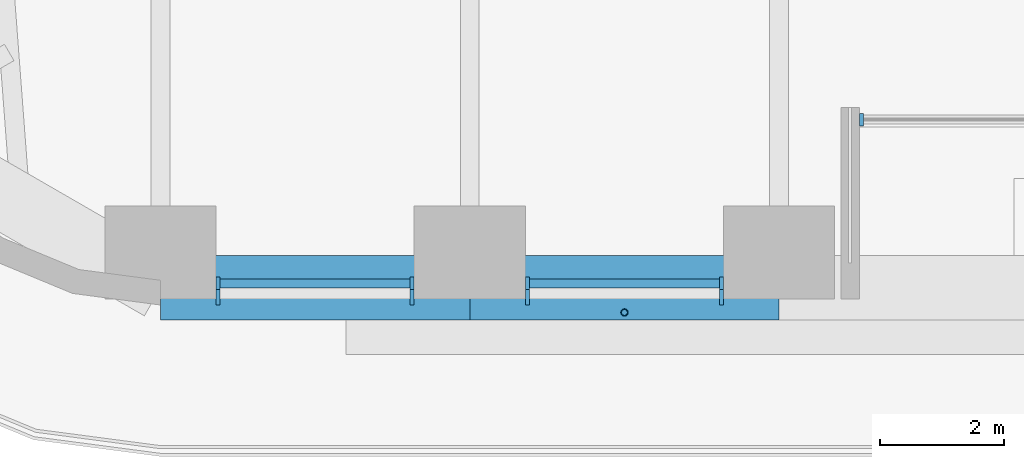
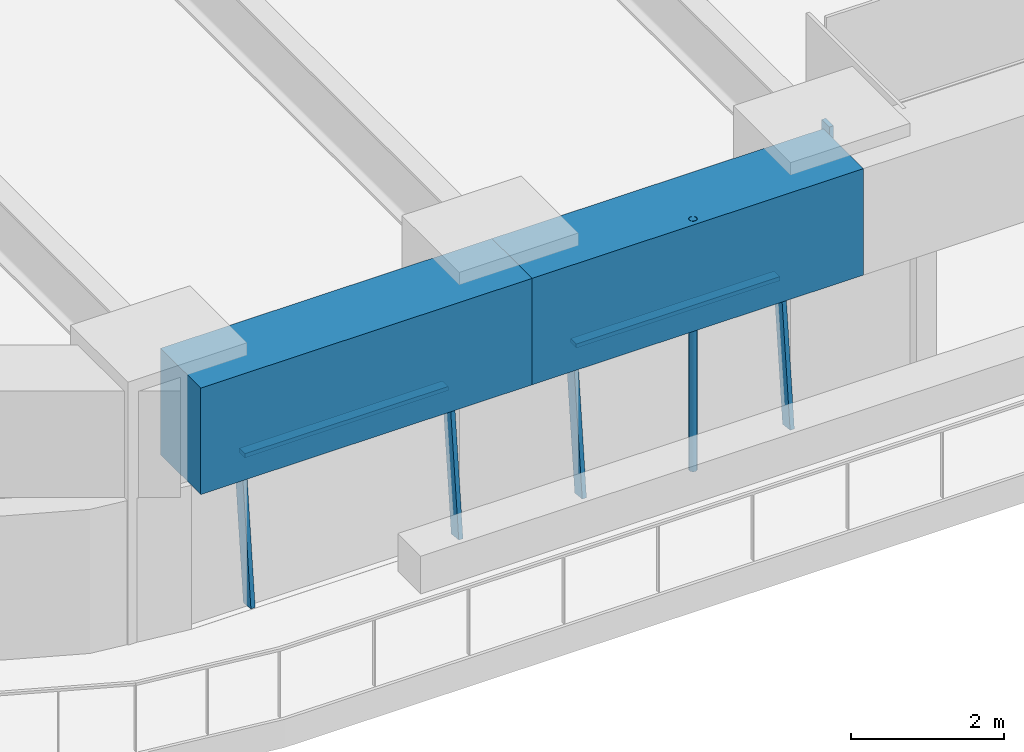
# One storey, part 2 of 24: 8 members, 2 beams, 3 elements without a shape of their own.
"""IFC4 building model written with IfcOpenShell, lengths in metres."""

from ifc_helpers import new_model, si_unit, direction, frame, origin, origin_2d, place, context, subcontext, project, spatial, rectangle, hollow_circle, extrude, material, material_profile, profile_set, type_object, element, aggregate, save


model = new_model("IFC4")

# Units and contexts
model_context = context("Model", 3, precision=1e-05, world=origin(), true_north=direction((0.0, 1.0)))
body_context = subcontext(model_context, "Body", "Model", "MODEL_VIEW")
ifc_project = project(units=[si_unit("LENGTHUNIT", "METRE"), si_unit("AREAUNIT", "SQUARE_METRE"), si_unit("VOLUMEUNIT", "CUBIC_METRE"), si_unit("PLANEANGLEUNIT", "RADIAN"), si_unit("MASSUNIT", "GRAM", prefix="KILO")], contexts=[model_context])

# Site, building, storey
site_placement = place(None, origin())
site = spatial("IfcSite", under=ifc_project, at=site_placement, CompositionType="ELEMENT")
building_placement = place(site_placement, origin())
building = spatial("IfcBuilding", under=site, at=building_placement, Name="Tarfa Lantern Tower", CompositionType="ELEMENT")
storey_placement = place(building_placement, frame((0.0, 0.0, 127.89990234375)))
storey = spatial("IfcBuildingStorey", under=building, at=storey_placement, Name="L28", CompositionType="ELEMENT", Elevation=127.89990234375)

# Curtain wall, members
ifc_material_1 = material(Name="Aluminium framed curtain wall", Category="aluminium")
curtain_wall_type_1 = type_object("IfcCurtainWallType", Name="CW2 CANTED GLAZING MID ZONE 2300", PredefinedType="USERDEFINED", material=ifc_material_1)
curtain_wall_1_placement = place(storey_placement, origin())
curtain_wall_1 = element("IfcCurtainWall", 1, at=curtain_wall_1_placement, inside=storey, type_object=curtain_wall_type_1, Name="CW2 S L28", ObjectType="CURTAIN WALL", PredefinedType="USERDEFINED")
ifc_material_2 = material(Name="Aluminium mullion", Category="aluminium")
ifc_material_profile_1 = material_profile(ifc_material_2, rectangle(XDim=0.06494140625, YDim=0.199951171875, at=origin_2d()), Name="AL MULLION 65x200")
ifc_profile_set_1 = profile_set([ifc_material_profile_1], Name="Aluminium mullion")
member_type_1 = type_object("IfcMemberType", Name="CWM1 MULLION 65x200", PredefinedType="MULLION", material=ifc_profile_set_1)
member_1_placement = place(storey_placement, frame((-14.07861328125, -31.39990234375, 0.0), z_axis=(0.0, 0.108056913548, 0.994144709504), x_axis=(-1.0, 0.0, 0.0)))
member_1 = element("IfcMember", 2, at=member_1_placement, type_object=member_type_1, Name="CW2 mullion 1", PredefinedType="MULLION", context=body_context, shape_type="SweptSolid", body=[
    extrude(rectangle(XDim=0.06494140625, YDim=0.199951171875, at=origin_2d()), origin(), (0.0, 0.0, 1.0), 2.3134765625),
])
member_2_placement = place(storey_placement, frame((-10.93994140625, -31.39990234375, 0.0), z_axis=(0.0, 0.108056913548, 0.994144709504), x_axis=(-1.0, 0.0, 0.0)))
member_2 = element("IfcMember", 3, at=member_2_placement, type_object=member_type_1, Name="CW2 mullion 2", PredefinedType="MULLION", context=body_context, shape_type="SweptSolid", body=[
    extrude(rectangle(XDim=0.06494140625, YDim=0.199951171875, at=origin_2d()), origin(), (0.0, 0.0, 1.0), 2.3134765625),
])

curtain_wall_2_placement = place(storey_placement, origin())
curtain_wall_2 = element("IfcCurtainWall", 4, at=curtain_wall_2_placement, inside=storey, type_object=curtain_wall_type_1, Name="CW2 S L28", ObjectType="CURTAIN WALL", PredefinedType="USERDEFINED")
member_3_placement = place(storey_placement, frame((-9.074951171875, -31.39990234375, 0.0), z_axis=(0.0, 0.108056913548, 0.994144709504), x_axis=(-1.0, 0.0, 0.0)))
member_3 = element("IfcMember", 5, at=member_3_placement, type_object=member_type_1, Name="CW2 mullion 1", PredefinedType="MULLION", context=body_context, shape_type="SweptSolid", body=[
    extrude(rectangle(XDim=0.06494140625, YDim=0.199951171875, at=origin_2d()), origin(), (0.0, 0.0, 1.0), 2.3134765625),
])
member_4_placement = place(storey_placement, frame((-5.936279296875, -31.39990234375, 0.0), z_axis=(0.0, 0.108056913548, 0.994144709504), x_axis=(-1.0, 0.0, 0.0)))
member_4 = element("IfcMember", 6, at=member_4_placement, type_object=member_type_1, Name="CW2 mullion 2", PredefinedType="MULLION", context=body_context, shape_type="SweptSolid", body=[
    extrude(rectangle(XDim=0.06494140625, YDim=0.199951171875, at=origin_2d()), origin(), (0.0, 0.0, 1.0), 2.3134765625),
])

# Curtain wall, member
curtain_wall_type_2 = type_object("IfcCurtainWallType", Name="CW10 LOGGIA GLAZING 2300", PredefinedType="USERDEFINED", material=ifc_material_1)
curtain_wall_3_placement = place(storey_placement, origin())
curtain_wall_3 = element("IfcCurtainWall", 7, at=curtain_wall_3_placement, inside=storey, type_object=curtain_wall_type_2, Name="CW10 SL L28", ObjectType="CURTAIN WALL", PredefinedType="USERDEFINED")
member_5_placement = place(storey_placement, frame((-3.671142578125, -28.5, 0.0), z_axis=(0.0, 0.0, 1.0), x_axis=(1.0, 0.0, 0.0)))
member_5 = element("IfcMember", 8, at=member_5_placement, type_object=member_type_1, Name="CW10 mullion 1", PredefinedType="MULLION", context=body_context, shape_type="SweptSolid", body=[
    extrude(rectangle(XDim=0.06494140625, YDim=0.199951171875, at=origin_2d()), origin(), (0.0, 0.0, 1.0), 2.300048828125),
])
aggregate(curtain_wall_3, [member_5])

# Member
ifc_material_3 = material(Name="Aluminium transom", Category="aluminium")
ifc_material_profile_2 = material_profile(ifc_material_3, rectangle(XDim=0.14990234375, YDim=0.06494140625, at=origin_2d()), Name="AL TRANSOM 150x65")
ifc_profile_set_2 = profile_set([ifc_material_profile_2], Name="Aluminium transom")
member_type_2 = type_object("IfcMemberType", Name="CWT1 TRANSOM 150x65", PredefinedType="USERDEFINED", material=ifc_profile_set_2)
member_6_placement = place(storey_placement, frame((-14.046142578125, -31.153564453125, 2.267578125), z_axis=(1.0, 0.0, 0.0), x_axis=(0.0, 1.0, 0.0)))
member_6 = element("IfcMember", 9, at=member_6_placement, type_object=member_type_2, Name="CW2 transom 1.2", ObjectType="TRANSOM", PredefinedType="USERDEFINED", context=body_context, shape_type="SweptSolid", body=[
    extrude(rectangle(XDim=0.14990234375, YDim=0.06494140625, at=origin_2d()), origin(), (0.0, 0.0, 1.0), 3.07373046875),
])

aggregate(curtain_wall_1, [member_1, member_2, member_6])

member_7_placement = place(storey_placement, frame((-9.04248046875, -31.153564453125, 2.267578125), z_axis=(1.0, 0.0, 0.0), x_axis=(0.0, 1.0, 0.0)))
member_7 = element("IfcMember", 10, at=member_7_placement, type_object=member_type_2, Name="CW2 transom 1.2", ObjectType="TRANSOM", PredefinedType="USERDEFINED", context=body_context, shape_type="SweptSolid", body=[
    extrude(rectangle(XDim=0.14990234375, YDim=0.06494140625, at=origin_2d()), origin(), (0.0, 0.0, 1.0), 3.07373046875),
])

aggregate(curtain_wall_2, [member_3, member_4, member_7])

# Beams
ifc_material_4 = material(Name="Concrete C80/95", Category="concrete")
ifc_material_profile_3 = material_profile(ifc_material_4, rectangle(XDim=1.050048828125, YDim=1.699951171875, at=origin_2d()), Name="RC 1050x1700")
ifc_profile_set_3 = profile_set([ifc_material_profile_3], Name="Concrete C80/95")
beam_type = type_object("IfcBeamType", Name="RB2 RC 1050x1700", PredefinedType="BEAM", material=ifc_profile_set_3)
for number, where, z_axis, x_axis, name in (
    (11, (-15.010986328125, -31.219970703125, 3.150146484375), (1.0, 0.0, 0.0), (0.0, 1.0, 0.0), "Edge beam S0"),
    (12, (-10.00732421875, -31.219970703125, 3.150146484375), (1.0, 0.0, 0.0), (0.0, 1.0, 0.0), "Edge beam S1"),
):
    element("IfcBeam", number, at=place(storey_placement, frame(where, z_axis=z_axis, x_axis=x_axis)), inside=storey, type_object=beam_type, Name=name, PredefinedType="BEAM", context=body_context, shape_type="SweptSolid", body=[
        extrude(rectangle(XDim=1.050048828125, YDim=1.699951171875, at=origin_2d()), origin(), (0.0, 0.0, 1.0), 5.003662109375),
    ])

# Member
ifc_material_5 = material(Name="Steel S355", Category="steel")
ifc_material_profile_4 = material_profile(ifc_material_5, hollow_circle(Radius=0.05712890625, WallThickness=0.00634765625, at=origin_2d()), Name="CHS114.3x6.3")
ifc_profile_set_4 = profile_set([ifc_material_profile_4], Name="Steel S355")
member_type_3 = type_object("IfcMemberType", Name="TR1 GREEN WALL TRELLIS CHS114.3x6.3", PredefinedType="USERDEFINED", material=ifc_profile_set_4)
member_8_placement = place(storey_placement, frame((-7.505615234375, -31.6201171875, 0.0), z_axis=(0.0, 0.0, 1.0), x_axis=(1.0, 0.0, 0.0)))
element("IfcMember", 13, at=member_8_placement, inside=storey, type_object=member_type_3, Name="Trellis post S 1", ObjectType="TRELLIS", PredefinedType="USERDEFINED", context=body_context, shape_type="SweptSolid", body=[
    extrude(hollow_circle(Radius=0.05712890625, WallThickness=0.00634765625, at=origin_2d()), origin(), (0.0, 0.0, 1.0), 4.0),
])

save(model, "model.ifc")
